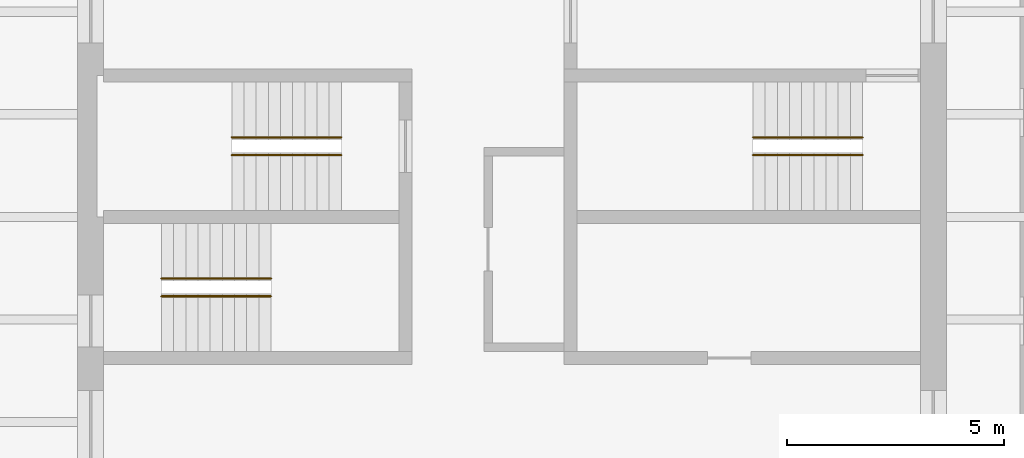
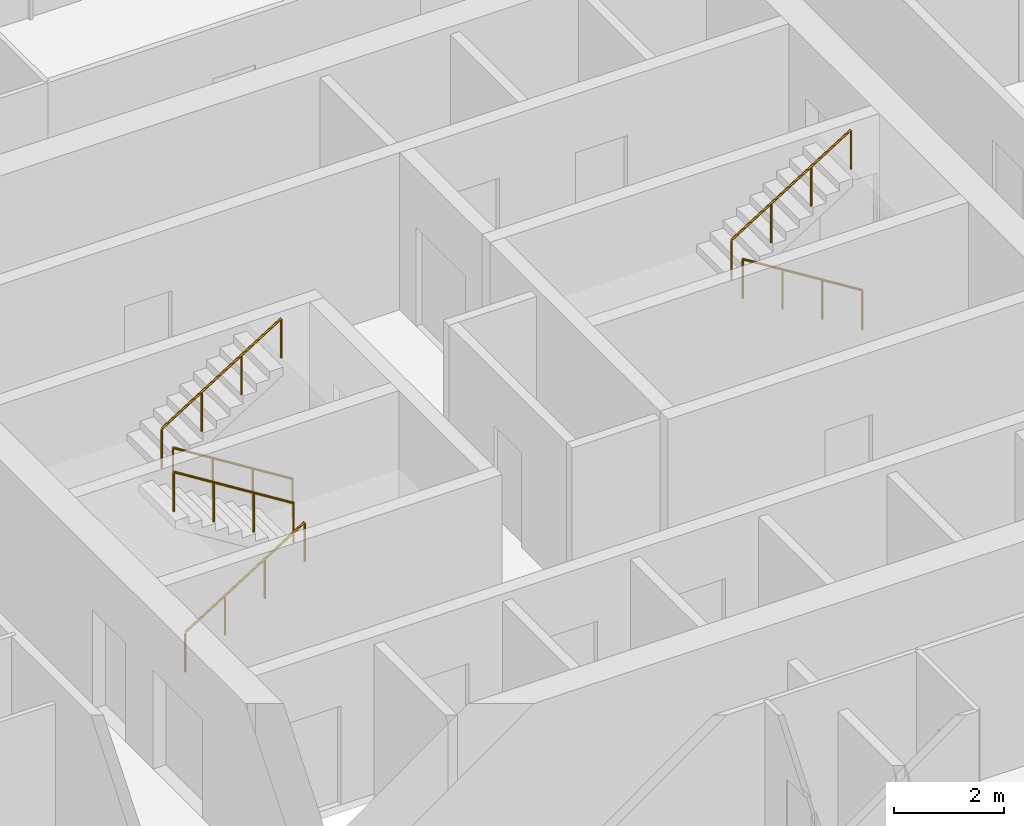
# One storey, part 17 of 17: 6 railings.
"""IFC4 building model written with IfcOpenShell, lengths in metres."""

from ifc_helpers import new_model, si_unit, direction, frame, origin, origin_2d, place, context, subcontext, project, spatial, circle, extrude, material, type_object, element, save


model = new_model("IFC4")

# Units and contexts
model_context = context("Model", 3, precision=1e-05, world=origin(), true_north=direction((0.0, 1.0)))
body_context = subcontext(model_context, "Body", "Model", "MODEL_VIEW")
ifc_project = project(units=[si_unit("LENGTHUNIT", "METRE"), si_unit("AREAUNIT", "SQUARE_METRE"), si_unit("VOLUMEUNIT", "CUBIC_METRE"), si_unit("PLANEANGLEUNIT", "RADIAN"), si_unit("MASSUNIT", "GRAM", prefix="KILO")], contexts=[model_context])

# Site, building, storey
site_placement = place(None, origin())
site = spatial("IfcSite", under=ifc_project, at=site_placement, CompositionType="ELEMENT")
building_placement = place(site_placement, origin())
building = spatial("IfcBuilding", under=site, at=building_placement, Name="Turquesa Mirador Hotel Tower", CompositionType="ELEMENT")
storey_placement = place(building_placement, frame((0.0, 0.0, 237.199951171875)))
storey = spatial("IfcBuildingStorey", under=building, at=storey_placement, Name="L64", CompositionType="ELEMENT", Elevation=237.199951171875)

# Railings
ifc_material = material(Name="Painted steel handrail", Category="steel")
railing_type = type_object("IfcRailingType", Name="HANDRAIL 900 STEEL", PredefinedType="HANDRAIL", material=ifc_material)
railing_1_placement = place(storey_placement, frame((51.070068359375, 46.419921875, 0.175048828125)))
element("IfcRailing", 1, at=railing_1_placement, inside=storey, type_object=railing_type, Name="Handrail ST1", PredefinedType="HANDRAIL", context=body_context, shape_type="SweptSolid", body=[
    extrude(circle(Radius=0.02392578125, at=origin_2d()), frame((0.0, 0.0, 0.8759765625), z_axis=(-0.848007534815, 0.0, 0.529984170421), x_axis=(0.0, -1.0, 0.0)), (0.0, 0.0, 1.0), 2.9716796875),
    extrude(circle(Radius=0.02099609375, at=origin_2d()), origin(), (0.0, 0.0, 1.0), 0.851806640625),
    extrude(circle(Radius=0.02099609375, at=origin_2d()), frame((-0.840087890625, 0.0, 0.52490234375)), (0.0, 0.0, 1.0), 0.851806640625),
    extrude(circle(Radius=0.02099609375, at=origin_2d()), frame((-1.679931640625, 0.0, 1.050048828125)), (0.0, 0.0, 1.0), 0.851806640625),
    extrude(circle(Radius=0.02099609375, at=origin_2d()), frame((-2.52001953125, 0.0, 1.574951171875)), (0.0, 0.0, 1.0), 0.851806640625),
])
for number, where, name in (
    (2, (48.550048828125, 46.830078125, 1.925048828125), "Handrail ST1"),
    (3, (46.929931640625, 43.169921875, 0.175048828125), "Handrail ST2"),
):
    element("IfcRailing", number, at=place(storey_placement, frame(where)), inside=storey, type_object=railing_type, Name=name, PredefinedType="HANDRAIL", context=body_context, shape_type="SweptSolid", body=[
        extrude(circle(Radius=0.02392578125, at=origin_2d()), frame((0.0, 0.0, 0.8759765625), z_axis=(0.848007534815, 0.0, 0.529984170421), x_axis=(0.0, 1.0, 0.0)), (0.0, 0.0, 1.0), 2.9716796875),
        extrude(circle(Radius=0.02099609375, at=origin_2d()), origin(), (0.0, 0.0, 1.0), 0.851806640625),
        extrude(circle(Radius=0.02099609375, at=origin_2d()), frame((0.840087890625, 0.0, 0.52490234375)), (0.0, 0.0, 1.0), 0.851806640625),
        extrude(circle(Radius=0.02099609375, at=origin_2d()), frame((1.679931640625, 0.0, 1.050048828125)), (0.0, 0.0, 1.0), 0.851806640625),
        extrude(circle(Radius=0.02099609375, at=origin_2d()), frame((2.52001953125, 0.0, 1.574951171875)), (0.0, 0.0, 1.0), 0.851806640625),
    ])
for number, where, name in (
    (4, (49.449951171875, 43.580078125, 1.925048828125), "Handrail ST2"),
    (5, (63.070068359375, 46.419921875, 0.175048828125), "Handrail ST3"),
):
    element("IfcRailing", number, at=place(storey_placement, frame(where)), inside=storey, type_object=railing_type, Name=name, PredefinedType="HANDRAIL", context=body_context, shape_type="SweptSolid", body=[
        extrude(circle(Radius=0.02392578125, at=origin_2d()), frame((0.0, 0.0, 0.8759765625), z_axis=(-0.848007534815, 0.0, 0.529984170421), x_axis=(0.0, -1.0, 0.0)), (0.0, 0.0, 1.0), 2.9716796875),
        extrude(circle(Radius=0.02099609375, at=origin_2d()), origin(), (0.0, 0.0, 1.0), 0.851806640625),
        extrude(circle(Radius=0.02099609375, at=origin_2d()), frame((-0.840087890625, 0.0, 0.52490234375)), (0.0, 0.0, 1.0), 0.851806640625),
        extrude(circle(Radius=0.02099609375, at=origin_2d()), frame((-1.679931640625, 0.0, 1.050048828125)), (0.0, 0.0, 1.0), 0.851806640625),
        extrude(circle(Radius=0.02099609375, at=origin_2d()), frame((-2.52001953125, 0.0, 1.574951171875)), (0.0, 0.0, 1.0), 0.851806640625),
    ])
railing_2_placement = place(storey_placement, frame((60.550048828125, 46.830078125, 1.925048828125)))
element("IfcRailing", 6, at=railing_2_placement, inside=storey, type_object=railing_type, Name="Handrail ST3", PredefinedType="HANDRAIL", context=body_context, shape_type="SweptSolid", body=[
    extrude(circle(Radius=0.02392578125, at=origin_2d()), frame((0.0, 0.0, 0.8759765625), z_axis=(0.848007534815, 0.0, 0.529984170421), x_axis=(0.0, 1.0, 0.0)), (0.0, 0.0, 1.0), 2.9716796875),
    extrude(circle(Radius=0.02099609375, at=origin_2d()), origin(), (0.0, 0.0, 1.0), 0.851806640625),
    extrude(circle(Radius=0.02099609375, at=origin_2d()), frame((0.840087890625, 0.0, 0.52490234375)), (0.0, 0.0, 1.0), 0.851806640625),
    extrude(circle(Radius=0.02099609375, at=origin_2d()), frame((1.679931640625, 0.0, 1.050048828125)), (0.0, 0.0, 1.0), 0.851806640625),
    extrude(circle(Radius=0.02099609375, at=origin_2d()), frame((2.52001953125, 0.0, 1.574951171875)), (0.0, 0.0, 1.0), 0.851806640625),
])

save(model, "model.ifc")
